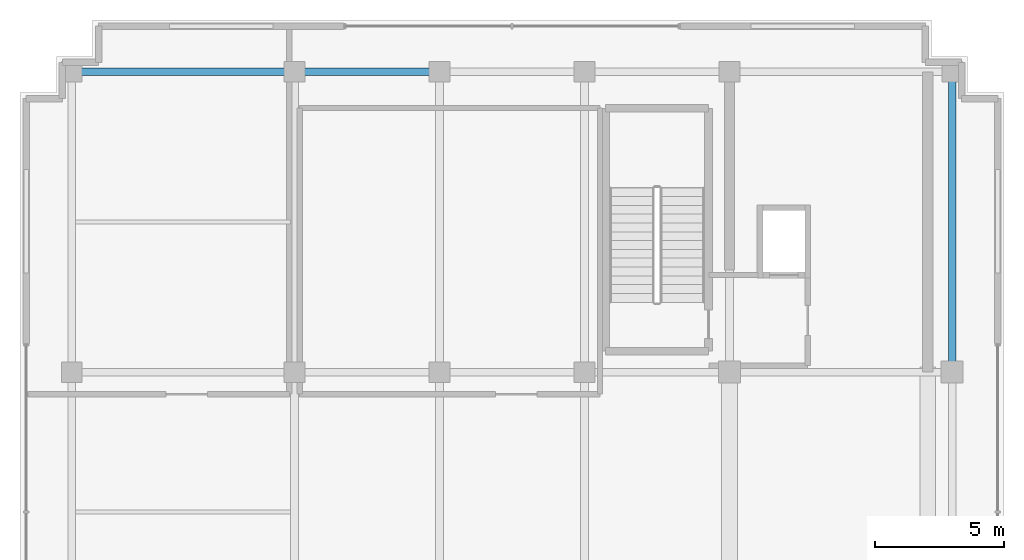
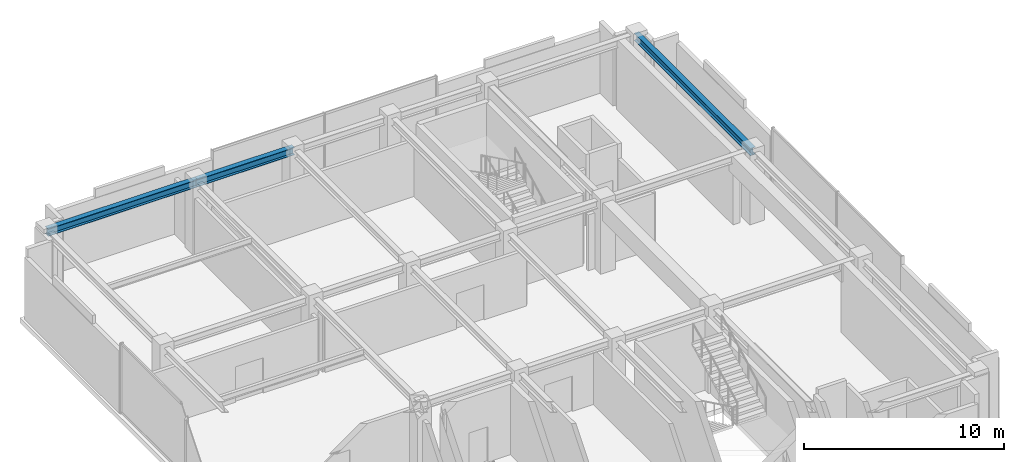
# One storey, part 11 of 18: 3 beams.
"""IFC4 building model written with IfcOpenShell, lengths in metres."""

from ifc_helpers import new_model, si_unit, direction, frame, origin, origin_2d, place, context, subcontext, project, spatial, i_section, extrude, source, transform, mapped, material, material_profile, profile_set, type_object, element, save


model = new_model("IFC4")

# Units and contexts
model_context = context("Model", 3, precision=1e-05, world=origin(), true_north=direction((0.0, 1.0)))
body_context = subcontext(model_context, "Body", "Model", "MODEL_VIEW")
ifc_project = project(units=[si_unit("LENGTHUNIT", "METRE"), si_unit("AREAUNIT", "SQUARE_METRE"), si_unit("VOLUMEUNIT", "CUBIC_METRE"), si_unit("PLANEANGLEUNIT", "RADIAN"), si_unit("MASSUNIT", "GRAM", prefix="KILO")], contexts=[model_context])

# Site, building, storey
site_placement = place(None, origin())
site = spatial("IfcSite", under=ifc_project, at=site_placement, CompositionType="ELEMENT")
building_placement = place(site_placement, origin())
building = spatial("IfcBuilding", under=site, at=building_placement, Name="Nahalor Promenade Grand Hotel", CompositionType="ELEMENT")
storey_placement = place(building_placement, frame((0.0, 0.0, 361.64990234375)))
storey = spatial("IfcBuildingStorey", under=building, at=storey_placement, Name="L92", CompositionType="ELEMENT", Elevation=361.64990234375)

# Beams
ifc_material = material(Name="Steel S355JR", Category="steel")
ifc_material_profile = material_profile(ifc_material, i_section(OverallWidth=0.3, OverallDepth=0.45, WebThickness=0.014, FlangeThickness=0.026, at=origin_2d()), Name="HEB 450")
ifc_profile_set = profile_set([ifc_material_profile], Name="Steel S355JR")
beam_type = type_object("IfcBeamType", Name="Beam-Girder-HEB450", PredefinedType="BEAM", material=ifc_profile_set)
shared_shape_1 = source(origin(), body_context, "Body", "SweptSolid", [
    extrude(i_section(OverallWidth=0.3, OverallDepth=0.45, WebThickness=0.014, FlangeThickness=0.026, at=origin_2d()), origin(), (0.0, 0.0, 1.0), 8.60009765625),
])
beam_1_placement = place(storey_placement, frame((-17.0, 17.0, 4.0751953125), z_axis=(1.0, 0.0, 0.0), x_axis=(0.0, 1.0, 0.0)))
element("IfcBeam", 1, at=beam_1_placement, inside=storey, type_object=beam_type, Name="BM-L92-GX-3-0", PredefinedType="BEAM", context=body_context, shape_type="MappedRepresentation", body=[
    mapped(shared_shape_1, transform((0.0, 0.0, 0.0), scale=1.0)),
])
shared_shape_2 = source(origin(), body_context, "Body", "SweptSolid", [
    extrude(i_section(OverallWidth=0.3, OverallDepth=0.45, WebThickness=0.014, FlangeThickness=0.026, at=origin_2d()), origin(), (0.0, 0.0, 1.0), 5.599853515625),
])
beam_2_placement = place(storey_placement, frame((-8.39990234375, 17.0, 4.0751953125), z_axis=(1.0, 0.0, 0.0), x_axis=(0.0, 1.0, 0.0)))
element("IfcBeam", 2, at=beam_2_placement, inside=storey, type_object=beam_type, Name="BM-L92-GX-3-1", PredefinedType="BEAM", context=body_context, shape_type="MappedRepresentation", body=[
    mapped(shared_shape_2, transform((0.0, 0.0, 0.0), scale=1.0)),
])
shared_shape_3 = source(origin(), body_context, "Body", "SweptSolid", [
    extrude(i_section(OverallWidth=0.3, OverallDepth=0.45, WebThickness=0.014, FlangeThickness=0.026, at=origin_2d()), origin(), (0.0, 0.0, 1.0), 11.60009765625),
])
beam_3_placement = place(storey_placement, frame((17.0, 5.39990234375, 4.0751953125), z_axis=(0.0, 1.0, 0.0), x_axis=(-1.0, 0.0, 0.0)))
element("IfcBeam", 3, at=beam_3_placement, inside=storey, type_object=beam_type, Name="BM-L92-GY-5-2", PredefinedType="BEAM", context=body_context, shape_type="MappedRepresentation", body=[
    mapped(shared_shape_3, transform((0.0, 0.0, 0.0), scale=1.0)),
])

save(model, "model.ifc")
